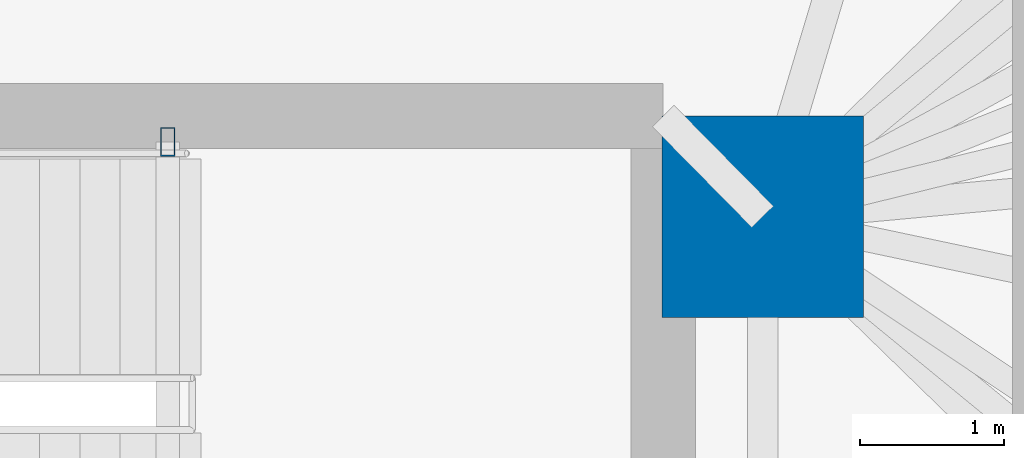
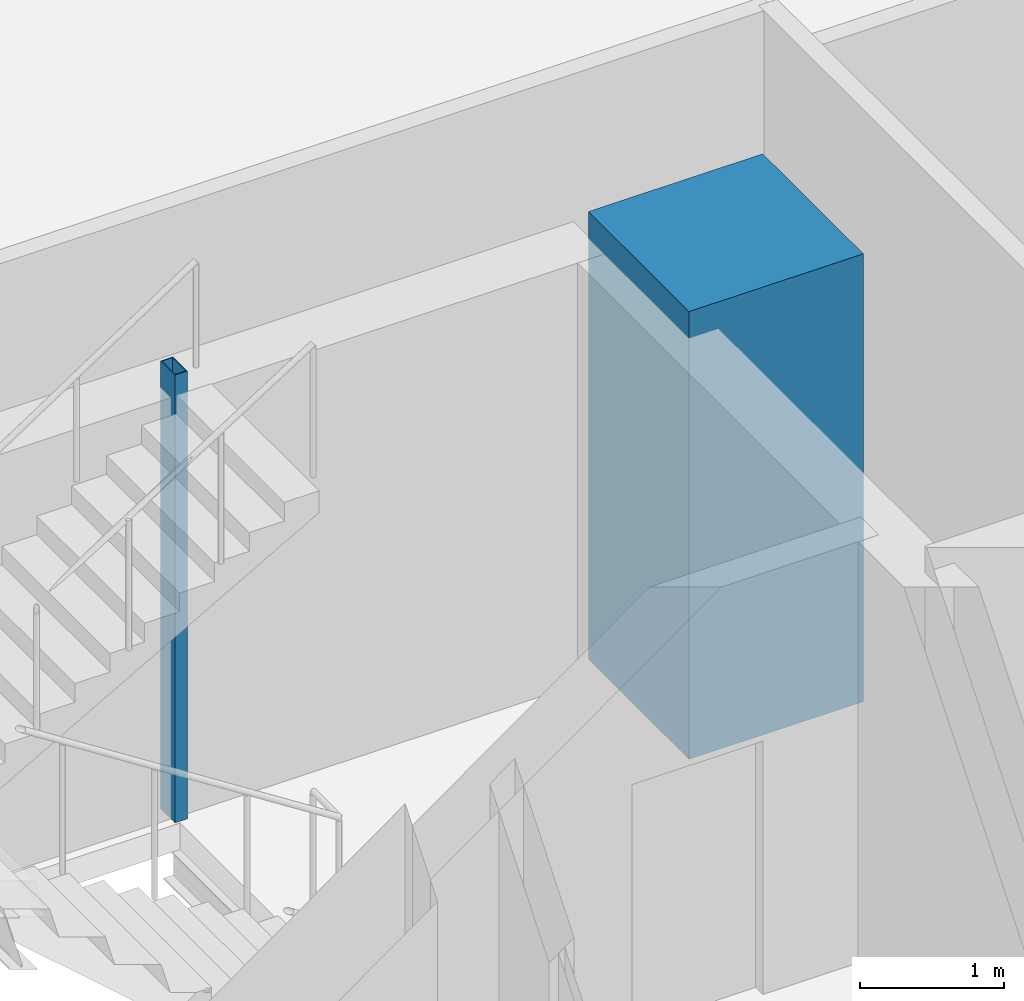
# One storey, part 4 of 16: 2 columns.
"""IFC4 building model written with IfcOpenShell, lengths in metres."""

from ifc_helpers import new_model, si_unit, direction, frame, origin, origin_2d, place, context, subcontext, project, spatial, rectangle, hollow_rectangle, extrude, material, material_profile, profile_set, type_object, element, save


model = new_model("IFC4")

# Units and contexts
model_context = context("Model", 3, precision=1e-05, world=origin(), true_north=direction((0.0, 1.0)))
body_context = subcontext(model_context, "Body", "Model", "MODEL_VIEW")
ifc_project = project(units=[si_unit("LENGTHUNIT", "METRE"), si_unit("AREAUNIT", "SQUARE_METRE"), si_unit("VOLUMEUNIT", "CUBIC_METRE"), si_unit("PLANEANGLEUNIT", "RADIAN"), si_unit("MASSUNIT", "GRAM", prefix="KILO")], contexts=[model_context])

# Site, building, storey
site_placement = place(None, origin())
site = spatial("IfcSite", under=ifc_project, at=site_placement, CompositionType="ELEMENT")
building_placement = place(site_placement, origin())
building = spatial("IfcBuilding", under=site, at=building_placement, Name="Menara Jurai Vektor", CompositionType="ELEMENT")
storey_placement = place(building_placement, frame((0.0, 0.0, 14.199951171875)))
storey = spatial("IfcBuildingStorey", under=building, at=storey_placement, Name="L02", CompositionType="ELEMENT", Elevation=14.199951171875)

# Columns
ifc_material_1 = material(Name="Concrete C60/75", Category="concrete")
ifc_material_profile_1 = material_profile(ifc_material_1, rectangle(XDim=1.39990234375, YDim=1.39990234375, at=origin_2d()), Name="RC 1400x1400")
ifc_profile_set_1 = profile_set([ifc_material_profile_1], Name="Concrete C60/75")
column_type_1 = type_object("IfcColumnType", Name="STR-COL-RC1400", PredefinedType="COLUMN", material=ifc_profile_set_1)
column_1_placement = place(storey_placement, frame((15.25, 4.89990234375, 0.0), z_axis=(0.0, 0.0, 1.0), x_axis=(1.0, 0.0, 0.0)))
element("IfcColumn", 1, at=column_1_placement, inside=storey, type_object=column_type_1, Name="Core Spine Column CE-NE L02", PredefinedType="COLUMN", context=body_context, shape_type="SweptSolid", body=[
    extrude(rectangle(XDim=1.39990234375, YDim=1.39990234375, at=origin_2d()), origin(), (0.0, 0.0, 1.0), 3.800048828125),
])
ifc_material_2 = material(Name="Steel S355", Category="steel")
ifc_material_profile_2 = material_profile(ifc_material_2, hollow_rectangle(XDim=0.10009765625, YDim=0.199951171875, WallThickness=0.008056640625, at=origin_2d()), Name="RHS 200x100x8")
ifc_profile_set_2 = profile_set([ifc_material_profile_2], Name="Steel S355")
column_type_2 = type_object("IfcColumnType", Name="STR-COL-STAIR", PredefinedType="COLUMN", material=ifc_profile_set_2)
column_2_placement = place(storey_placement, frame((11.1201171875, 5.419921875, 0.0), z_axis=(0.0, 0.0, 1.0), x_axis=(1.0, 0.0, 0.0)))
element("IfcColumn", 2, at=column_2_placement, inside=storey, type_object=column_type_2, Name="Stair Well Header Column ST2-P2 L02", PredefinedType="COLUMN", context=body_context, shape_type="SweptSolid", body=[
    extrude(hollow_rectangle(XDim=0.10009765625, YDim=0.199951171875, WallThickness=0.008056640625, at=origin_2d()), origin(), (0.0, 0.0, 1.0), 3.800048828125),
])

save(model, "model.ifc")
